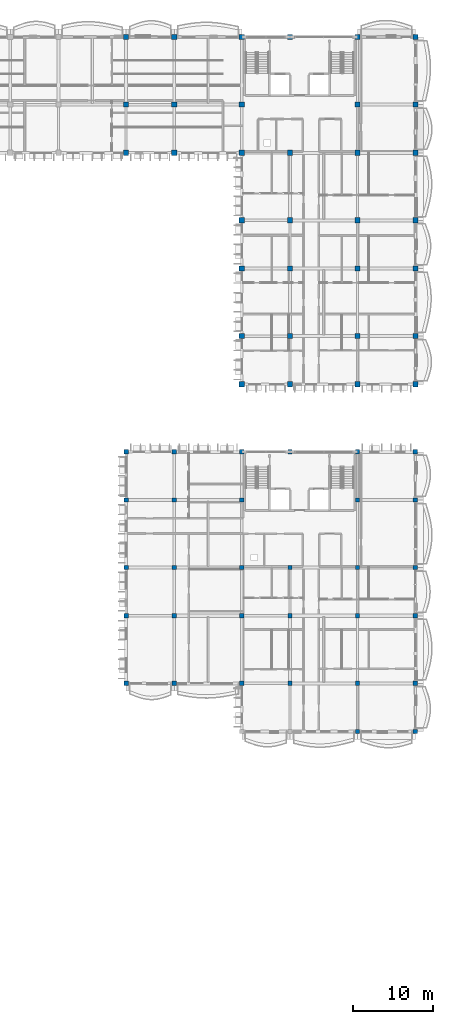
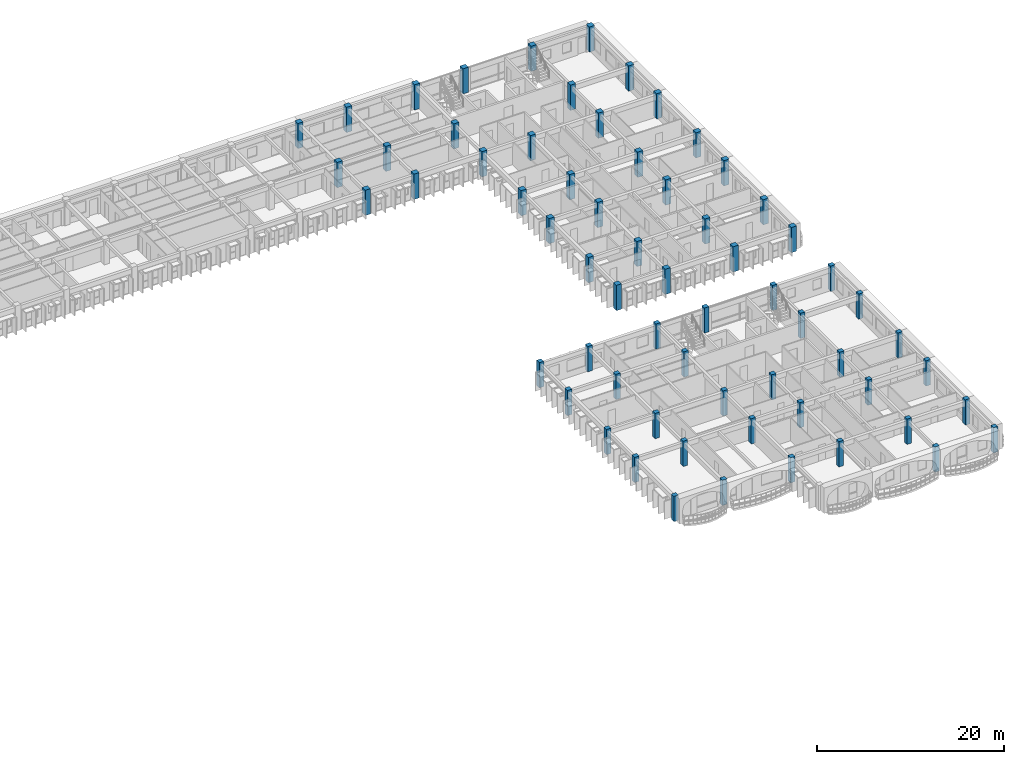
# One storey, part 2 of 70: 64 columns.
"""IFC4 building model written with IfcOpenShell, lengths in metres."""

from ifc_helpers import new_model, si_unit, direction, frame, origin, origin_2d, place, context, subcontext, project, spatial, rectangle, extrude, material, material_profile, profile_set, type_object, element, save


model = new_model("IFC4")

# Units and contexts
model_context = context("Model", 3, precision=1e-05, world=origin(), true_north=direction((0.0, 1.0)))
body_context = subcontext(model_context, "Body", "Model", "MODEL_VIEW")
ifc_project = project(units=[si_unit("LENGTHUNIT", "METRE"), si_unit("AREAUNIT", "SQUARE_METRE"), si_unit("VOLUMEUNIT", "CUBIC_METRE"), si_unit("PLANEANGLEUNIT", "RADIAN"), si_unit("MASSUNIT", "GRAM", prefix="KILO"), si_unit("THERMODYNAMICTEMPERATUREUNIT", "KELVIN")], contexts=[model_context])

# Site, building, storey
site_placement = place(None, origin())
site = spatial("IfcSite", under=ifc_project, at=site_placement, CompositionType="ELEMENT")
building_placement = place(site_placement, origin())
building = spatial("IfcBuilding", under=site, at=building_placement, Name="Thalorik Housing Commons", CompositionType="ELEMENT")
storey_placement = place(building_placement, frame((0.0, 0.0, 14.699951171875)))
storey = spatial("IfcBuildingStorey", under=building, at=storey_placement, Name="L04", CompositionType="ELEMENT", Elevation=14.699951171875)

# Columns
ifc_material = material(Name="Precast concrete C40/50", Category="concrete")
ifc_material_profile_1 = material_profile(ifc_material, rectangle(XDim=0.550048828125, YDim=0.550048828125, at=origin_2d()), Name="PC 550x550", Category="concrete")
ifc_profile_set_1 = profile_set([ifc_material_profile_1], Name="Precast concrete C40/50")
column_type_1 = type_object("IfcColumnType", Name="STR-COL-PC550", PredefinedType="COLUMN", material=ifc_profile_set_1)
for number, where, z_axis, x_axis, name in (
    (1, (138.0, 43.199951171875, 0.0), (0.0, 0.0, 1.0), (1.0, 0.0, 0.0), "L04 Column C-550"),
    (2, (138.0, 51.60009765625, 0.0), (0.0, 0.0, 1.0), (1.0, 0.0, 0.0), "L04 Column C-550"),
    (3, (138.0, 57.60009765625, 0.0), (0.0, 0.0, 1.0), (1.0, 0.0, 0.0), "L04 Column C-550"),
    (4, (138.0, 66.0, 0.0), (0.0, 0.0, 1.0), (1.0, 0.0, 0.0), "L04 Column C-550"),
    (5, (138.0, 72.0, 0.0), (0.0, 0.0, 1.0), (1.0, 0.0, 0.0), "L04 Column C-550"),
    (6, (144.0, 43.199951171875, 0.0), (0.0, 0.0, 1.0), (1.0, 0.0, 0.0), "L04 Column C-550"),
    (7, (144.0, 51.60009765625, 0.0), (0.0, 0.0, 1.0), (1.0, 0.0, 0.0), "L04 Column C-550"),
    (8, (144.0, 57.60009765625, 0.0), (0.0, 0.0, 1.0), (1.0, 0.0, 0.0), "L04 Column C-550"),
    (9, (144.0, 66.0, 0.0), (0.0, 0.0, 1.0), (1.0, 0.0, 0.0), "L04 Column C-550"),
    (10, (144.0, 72.0, 0.0), (0.0, 0.0, 1.0), (1.0, 0.0, 0.0), "L04 Column C-550"),
    (11, (152.39990234375, 43.199951171875, 0.0), (0.0, 0.0, 1.0), (1.0, 0.0, 0.0), "L04 Column C-550"),
    (12, (152.39990234375, 51.60009765625, 0.0), (0.0, 0.0, 1.0), (1.0, 0.0, 0.0), "L04 Column C-550"),
    (13, (152.39990234375, 57.60009765625, 0.0), (0.0, 0.0, 1.0), (1.0, 0.0, 0.0), "L04 Column C-550"),
    (14, (152.39990234375, 66.0, 0.0), (0.0, 0.0, 1.0), (1.0, 0.0, 0.0), "L04 Column C-550"),
    (15, (152.39990234375, 72.0, 0.0), (0.0, 0.0, 1.0), (1.0, 0.0, 0.0), "L04 Column C-550"),
    (16, (158.39990234375, 43.199951171875, 0.0), (0.0, 0.0, 1.0), (1.0, 0.0, 0.0), "L04 Column C-550"),
    (17, (158.39990234375, 51.60009765625, 0.0), (0.0, 0.0, 1.0), (1.0, 0.0, 0.0), "L04 Column C-550"),
    (18, (158.39990234375, 57.60009765625, 0.0), (0.0, 0.0, 1.0), (1.0, 0.0, 0.0), "L04 Column C-550"),
    (19, (158.39990234375, 72.0, 0.0), (0.0, 0.0, 1.0), (1.0, 0.0, 0.0), "L04 Column C-550"),
    (20, (166.800048828125, 37.199951171875, 0.0), (0.0, 0.0, 1.0), (1.0, 0.0, 0.0), "L04 Column C-550"),
    (21, (166.800048828125, 43.199951171875, 0.0), (0.0, 0.0, 1.0), (1.0, 0.0, 0.0), "L04 Column C-550"),
    (22, (166.800048828125, 51.60009765625, 0.0), (0.0, 0.0, 1.0), (1.0, 0.0, 0.0), "L04 Column C-550"),
    (23, (166.800048828125, 57.60009765625, 0.0), (0.0, 0.0, 1.0), (1.0, 0.0, 0.0), "L04 Column C-550"),
    (24, (166.800048828125, 66.0, 0.0), (0.0, 0.0, 1.0), (1.0, 0.0, 0.0), "L04 Column C-550"),
    (25, (166.800048828125, 72.0, 0.0), (0.0, 0.0, 1.0), (1.0, 0.0, 0.0), "L04 Column C-550"),
    (26, (174.0, 37.199951171875, 0.0), (0.0, 0.0, 1.0), (1.0, 0.0, 0.0), "L04 Column C-550"),
    (27, (174.0, 43.199951171875, 0.0), (0.0, 0.0, 1.0), (1.0, 0.0, 0.0), "L04 Column C-550"),
    (28, (174.0, 51.60009765625, 0.0), (0.0, 0.0, 1.0), (1.0, 0.0, 0.0), "L04 Column C-550"),
    (29, (174.0, 57.60009765625, 0.0), (0.0, 0.0, 1.0), (1.0, 0.0, 0.0), "L04 Column C-550"),
    (30, (174.0, 66.0, 0.0), (0.0, 0.0, 1.0), (1.0, 0.0, 0.0), "L04 Column C-550"),
    (31, (174.0, 72.0, 0.0), (0.0, 0.0, 1.0), (1.0, 0.0, 0.0), "L04 Column C-550"),
):
    element("IfcColumn", number, at=place(storey_placement, frame(where, z_axis=z_axis, x_axis=x_axis)), inside=storey, type_object=column_type_1, Name=name, PredefinedType="COLUMN", context=body_context, shape_type="SweptSolid", body=[
        extrude(rectangle(XDim=0.550048828125, YDim=0.550048828125, at=origin_2d()), origin(), (0.0, 0.0, 1.0), 3.300048828125),
    ])
ifc_material_profile_2 = material_profile(ifc_material, rectangle(XDim=0.64990234375, YDim=0.64990234375, at=origin_2d()), Name="PC 650x650", Category="concrete")
ifc_profile_set_2 = profile_set([ifc_material_profile_2], Name="Precast concrete C40/50")
column_type_2 = type_object("IfcColumnType", Name="STR-COL-PC650", PredefinedType="COLUMN", material=ifc_profile_set_2)
for number, where, z_axis, x_axis, name in (
    (32, (138.0, 109.199951171875, 0.0), (0.0, 0.0, 1.0), (1.0, 0.0, 0.0), "L04 Column C-650"),
    (33, (138.0, 115.199951171875, 0.0), (0.0, 0.0, 1.0), (1.0, 0.0, 0.0), "L04 Column C-650"),
    (34, (138.0, 123.60009765625, 0.0), (0.0, 0.0, 1.0), (1.0, 0.0, 0.0), "L04 Column C-650"),
    (35, (144.0, 109.199951171875, 0.0), (0.0, 0.0, 1.0), (1.0, 0.0, 0.0), "L04 Column C-650"),
    (36, (144.0, 115.199951171875, 0.0), (0.0, 0.0, 1.0), (1.0, 0.0, 0.0), "L04 Column C-650"),
    (37, (144.0, 123.60009765625, 0.0), (0.0, 0.0, 1.0), (1.0, 0.0, 0.0), "L04 Column C-650"),
    (38, (152.39990234375, 80.39990234375, 0.0), (0.0, 0.0, 1.0), (1.0, 0.0, 0.0), "L04 Column C-650"),
    (39, (152.39990234375, 86.39990234375, 0.0), (0.0, 0.0, 1.0), (1.0, 0.0, 0.0), "L04 Column C-650"),
    (40, (152.39990234375, 94.800048828125, 0.0), (0.0, 0.0, 1.0), (1.0, 0.0, 0.0), "L04 Column C-650"),
    (41, (152.39990234375, 100.800048828125, 0.0), (0.0, 0.0, 1.0), (1.0, 0.0, 0.0), "L04 Column C-650"),
    (42, (152.39990234375, 109.199951171875, 0.0), (0.0, 0.0, 1.0), (1.0, 0.0, 0.0), "L04 Column C-650"),
    (43, (152.39990234375, 115.199951171875, 0.0), (0.0, 0.0, 1.0), (1.0, 0.0, 0.0), "L04 Column C-650"),
    (44, (152.39990234375, 123.60009765625, 0.0), (0.0, 0.0, 1.0), (1.0, 0.0, 0.0), "L04 Column C-650"),
    (45, (158.39990234375, 80.39990234375, 0.0), (0.0, 0.0, 1.0), (1.0, 0.0, 0.0), "L04 Column C-650"),
    (46, (158.39990234375, 86.39990234375, 0.0), (0.0, 0.0, 1.0), (1.0, 0.0, 0.0), "L04 Column C-650"),
    (47, (158.39990234375, 94.800048828125, 0.0), (0.0, 0.0, 1.0), (1.0, 0.0, 0.0), "L04 Column C-650"),
    (48, (158.39990234375, 100.800048828125, 0.0), (0.0, 0.0, 1.0), (1.0, 0.0, 0.0), "L04 Column C-650"),
    (49, (158.39990234375, 109.199951171875, 0.0), (0.0, 0.0, 1.0), (1.0, 0.0, 0.0), "L04 Column C-650"),
    (50, (158.39990234375, 123.60009765625, 0.0), (0.0, 0.0, 1.0), (1.0, 0.0, 0.0), "L04 Column C-650"),
    (51, (166.800048828125, 80.39990234375, 0.0), (0.0, 0.0, 1.0), (1.0, 0.0, 0.0), "L04 Column C-650"),
    (52, (166.800048828125, 86.39990234375, 0.0), (0.0, 0.0, 1.0), (1.0, 0.0, 0.0), "L04 Column C-650"),
    (53, (166.800048828125, 94.800048828125, 0.0), (0.0, 0.0, 1.0), (1.0, 0.0, 0.0), "L04 Column C-650"),
    (54, (166.800048828125, 100.800048828125, 0.0), (0.0, 0.0, 1.0), (1.0, 0.0, 0.0), "L04 Column C-650"),
    (55, (166.800048828125, 109.199951171875, 0.0), (0.0, 0.0, 1.0), (1.0, 0.0, 0.0), "L04 Column C-650"),
    (56, (166.800048828125, 115.199951171875, 0.0), (0.0, 0.0, 1.0), (1.0, 0.0, 0.0), "L04 Column C-650"),
    (57, (166.800048828125, 123.60009765625, 0.0), (0.0, 0.0, 1.0), (1.0, 0.0, 0.0), "L04 Column C-650"),
    (58, (174.0, 80.39990234375, 0.0), (0.0, 0.0, 1.0), (1.0, 0.0, 0.0), "L04 Column C-650"),
    (59, (174.0, 86.39990234375, 0.0), (0.0, 0.0, 1.0), (1.0, 0.0, 0.0), "L04 Column C-650"),
    (60, (174.0, 94.800048828125, 0.0), (0.0, 0.0, 1.0), (1.0, 0.0, 0.0), "L04 Column C-650"),
    (61, (174.0, 100.800048828125, 0.0), (0.0, 0.0, 1.0), (1.0, 0.0, 0.0), "L04 Column C-650"),
    (62, (174.0, 109.199951171875, 0.0), (0.0, 0.0, 1.0), (1.0, 0.0, 0.0), "L04 Column C-650"),
    (63, (174.0, 115.199951171875, 0.0), (0.0, 0.0, 1.0), (1.0, 0.0, 0.0), "L04 Column C-650"),
    (64, (174.0, 123.60009765625, 0.0), (0.0, 0.0, 1.0), (1.0, 0.0, 0.0), "L04 Column C-650"),
):
    element("IfcColumn", number, at=place(storey_placement, frame(where, z_axis=z_axis, x_axis=x_axis)), inside=storey, type_object=column_type_2, Name=name, PredefinedType="COLUMN", context=body_context, shape_type="SweptSolid", body=[
        extrude(rectangle(XDim=0.64990234375, YDim=0.64990234375, at=origin_2d()), origin(), (0.0, 0.0, 1.0), 3.300048828125),
    ])

save(model, "model.ifc")
